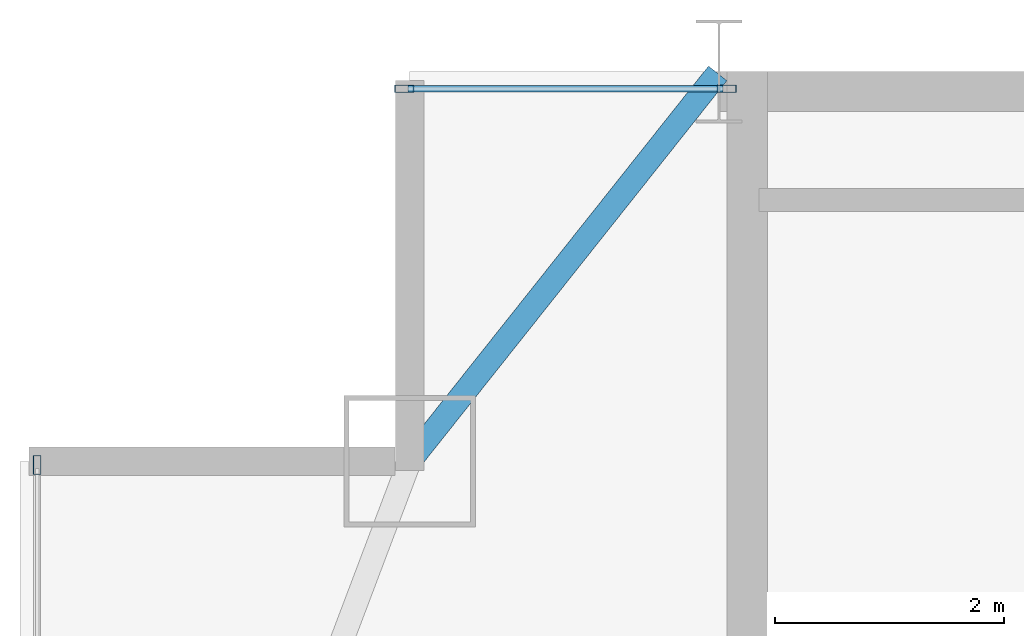
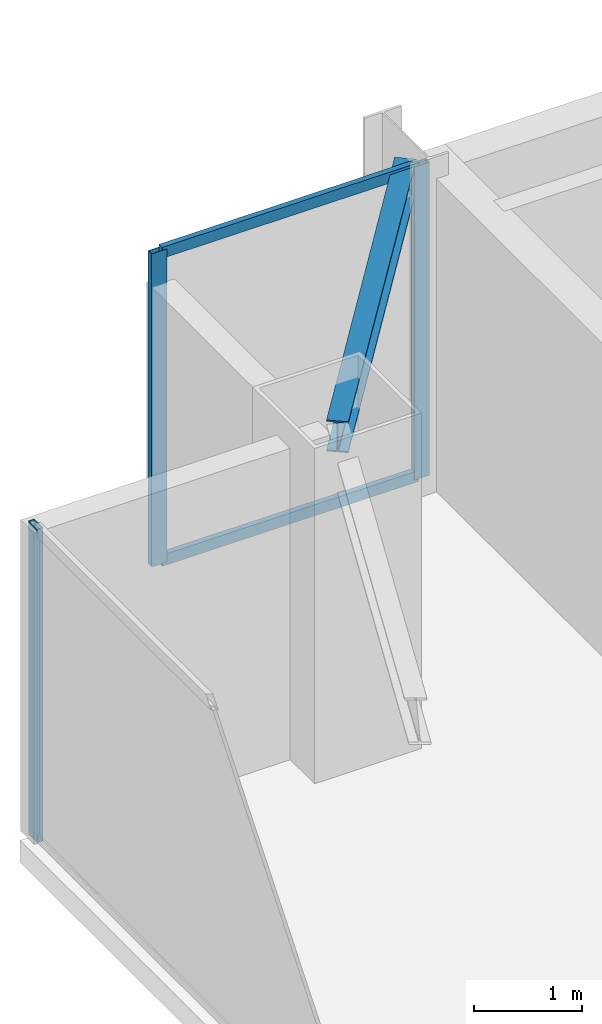
# One storey, part 21 of 30: 5 members, 1 beam, 2 elements without a shape of their own.
"""IFC4 building model written with IfcOpenShell, lengths in metres."""

from ifc_helpers import new_model, si_unit, direction, frame, origin, origin_2d, place, context, subcontext, project, spatial, hollow_rectangle, i_section, extrude, source, transform, mapped, material, layer, layer_set, material_profile, profile_set, type_object, type_shapes, element, aggregate, save


model = new_model("IFC4")

# Units and contexts
model_context = context("Model", 3, precision=1e-05, world=origin(), true_north=direction((0.0, 1.0)))
body_context = subcontext(model_context, "Body", "Model", "MODEL_VIEW")
ifc_project = project(units=[si_unit("LENGTHUNIT", "METRE"), si_unit("AREAUNIT", "SQUARE_METRE"), si_unit("VOLUMEUNIT", "CUBIC_METRE"), si_unit("PLANEANGLEUNIT", "RADIAN"), si_unit("MASSUNIT", "GRAM", prefix="KILO")], contexts=[model_context])

# Site, building, storey
site_placement = place(None, origin())
site = spatial("IfcSite", under=ifc_project, at=site_placement, CompositionType="ELEMENT")
building_placement = place(site_placement, origin())
building = spatial("IfcBuilding", under=site, at=building_placement, Name="Varnel Quay Broadcast Tower", CompositionType="ELEMENT")
storey_placement = place(building_placement, frame((0.0, 0.0, 247.0)))
storey = spatial("IfcBuildingStorey", under=building, at=storey_placement, Name="L61", CompositionType="ELEMENT", Elevation=247.0)

# Beam
ifc_material_1 = material(Name="Structural Steel CSA G40.21 350W", Category="steel")
ifc_material_profile_1 = material_profile(ifc_material_1, i_section(OverallWidth=0.205078125, OverallDepth=0.35400390625, WebThickness=0.009521484375, FlangeThickness=0.016845703125, FilletRadius=0.012939453125, at=origin_2d()), Name="W360X79")
ifc_profile_set_1 = profile_set([ifc_material_profile_1], Name="Structural Steel CSA G40.21 350W")
beam_type = type_object("IfcBeamType", Name="Beam_W360X79", PredefinedType="SPANDREL", material=ifc_profile_set_1)
shared_shape_1 = source(origin(), body_context, "Body", "SweptSolid", [
    extrude(i_section(OverallWidth=0.205078125, OverallDepth=0.35400390625, WebThickness=0.009521484375, FlangeThickness=0.016845703125, FilletRadius=0.012939453125, at=origin_2d()), origin(), (0.0, 0.0, 1.0), 4.301513671875),
])
type_shapes(beam_type, [shared_shape_1])
beam_placement = place(storey_placement, frame((12.912353515625, 43.415771484375, 3.373046875), z_axis=(0.621936399401, 0.783067758946, 0.0), x_axis=(-0.783067758946, 0.621936399401, 0.0)))
element("IfcBeam", 1, at=beam_placement, inside=storey, type_object=beam_type, Name="L61 NW Tie Spandrel", PredefinedType="SPANDREL", context=body_context, shape_type="MappedRepresentation", body=[
    mapped(shared_shape_1, transform((0.0, 0.0, 0.0), x_axis=(1.0, 0.0, 0.0), y_axis=(0.0, 1.0, 0.0), z_axis=(0.0, 0.0, 1.0), scale=1.0)),
])

# Curtain wall, member
ifc_material_2 = material(Name="Anodised Bronze Aluminium 6063-T6", Category="aluminium")
ifc_layer = layer(ifc_material_2, 0.18994140625, Name="Anodised Bronze Aluminium 6063-T6")
ifc_layer_set = layer_set([ifc_layer], Name="Anodised Bronze Aluminium 6063-T6")
curtain_wall_type = type_object("IfcCurtainWallType", Name="CW_UpperTower", PredefinedType="NOTDEFINED", material=ifc_layer_set)
curtain_wall_1_placement = place(storey_placement, origin())
curtain_wall_1 = element("IfcCurtainWall", 2, at=curtain_wall_1_placement, inside=storey, type_object=curtain_wall_type, Name="L61 West Unitised Curtain Wall", PredefinedType="NOTDEFINED")
ifc_material_profile_2 = material_profile(ifc_material_2, hollow_rectangle(XDim=0.06494140625, YDim=0.1650390625, WallThickness=0.00341796875, at=origin_2d()), Name="ALU65X165X3.5")
ifc_profile_set_2 = profile_set([ifc_material_profile_2], Name="Anodised Bronze Aluminium 6063-T6")
member_type_1 = type_object("IfcMemberType", Name="Mull_CWS-03", PredefinedType="MULLION", material=ifc_profile_set_2)
shared_shape_2 = source(origin(), body_context, "Body", "SweptSolid", [
    extrude(hollow_rectangle(XDim=0.06494140625, YDim=0.1650390625, WallThickness=0.00341796875, at=origin_2d()), origin(), (0.0, 0.0, 1.0), 3.550048828125),
])
type_shapes(member_type_1, [shared_shape_2])
member_1_placement = place(storey_placement, frame((9.64990234375, 43.367431640625, 0.0), z_axis=(0.0, 0.0, 1.0), x_axis=(-1.0, 0.0, 0.0)))
member_1 = element("IfcMember", 3, at=member_1_placement, type_object=member_type_1, Name="CWS-03 mullion 3", PredefinedType="MULLION", context=body_context, shape_type="MappedRepresentation", body=[
    mapped(shared_shape_2, transform((0.0, 0.0, 0.0), x_axis=(1.0, 0.0, 0.0), y_axis=(0.0, 1.0, 0.0), z_axis=(0.0, 0.0, 1.0), scale=1.0)),
])
aggregate(curtain_wall_1, [member_1])

# Curtain wall, members
curtain_wall_2_placement = place(storey_placement, origin())
curtain_wall_2 = element("IfcCurtainWall", 4, at=curtain_wall_2_placement, inside=storey, type_object=curtain_wall_type, Name="L61 NW Wing Curtain Wall", PredefinedType="NOTDEFINED")
member_2_placement = place(storey_placement, frame((12.8525390625, 46.64990234375, 0.0), z_axis=(0.0, 0.0, 1.0), x_axis=(0.0, 1.0, 0.0)))
member_2 = element("IfcMember", 5, at=member_2_placement, type_object=member_type_1, Name="CWS-03 mullion 1", PredefinedType="MULLION", context=body_context, shape_type="MappedRepresentation", body=[
    mapped(shared_shape_2, transform((0.0, 0.0, 0.0), x_axis=(1.0, 0.0, 0.0), y_axis=(0.0, 1.0, 0.0), z_axis=(0.0, 0.0, 1.0), scale=1.0)),
])
member_3_placement = place(storey_placement, frame((15.66748046875, 46.64990234375, 0.0), z_axis=(0.0, 0.0, 1.0), x_axis=(0.0, 1.0, 0.0)))
member_3 = element("IfcMember", 6, at=member_3_placement, type_object=member_type_1, Name="CWS-03 mullion 2", PredefinedType="MULLION", context=body_context, shape_type="MappedRepresentation", body=[
    mapped(shared_shape_2, transform((0.0, 0.0, 0.0), x_axis=(1.0, 0.0, 0.0), y_axis=(0.0, 1.0, 0.0), z_axis=(0.0, 0.0, 1.0), scale=1.0)),
])
ifc_material_profile_3 = material_profile(ifc_material_2, hollow_rectangle(XDim=0.06005859375, YDim=0.125, WallThickness=0.0029296875, at=origin_2d()), Name="ALU60X125X3")
ifc_profile_set_3 = profile_set([ifc_material_profile_3], Name="Anodised Bronze Aluminium 6063-T6")
member_type_2 = type_object("IfcMemberType", Name="Tran_CWS-03", PredefinedType="USERDEFINED", material=ifc_profile_set_3)
shared_shape_3 = source(origin(), body_context, "Body", "SweptSolid", [
    extrude(hollow_rectangle(XDim=0.06005859375, YDim=0.125, WallThickness=0.0029296875, at=origin_2d()), origin(), (0.0, 0.0, 1.0), 2.75),
])
type_shapes(member_type_2, [shared_shape_3])
member_4_placement = place(storey_placement, frame((12.885009765625, 46.64990234375, 0.030029296875), z_axis=(1.0, 0.0, 0.0), x_axis=(0.0, 1.0, 0.0)))
member_4 = element("IfcMember", 7, at=member_4_placement, type_object=member_type_2, Name="CWS-03 transom 1.1", ObjectType="TRANSOM", PredefinedType="USERDEFINED", context=body_context, shape_type="MappedRepresentation", body=[
    mapped(shared_shape_3, transform((0.0, 0.0, 0.0), x_axis=(1.0, 0.0, 0.0), y_axis=(0.0, 1.0, 0.0), z_axis=(0.0, 0.0, 1.0), scale=1.0)),
])
member_5_placement = place(storey_placement, frame((12.885009765625, 46.64990234375, 3.52001953125), z_axis=(1.0, 0.0, 0.0), x_axis=(0.0, 1.0, 0.0)))
member_5 = element("IfcMember", 8, at=member_5_placement, type_object=member_type_2, Name="CWS-03 transom 1.2", ObjectType="TRANSOM", PredefinedType="USERDEFINED", context=body_context, shape_type="MappedRepresentation", body=[
    mapped(shared_shape_3, transform((0.0, 0.0, 0.0), x_axis=(1.0, 0.0, 0.0), y_axis=(0.0, 1.0, 0.0), z_axis=(0.0, 0.0, 1.0), scale=1.0)),
])
aggregate(curtain_wall_2, [member_2, member_3, member_4, member_5])

save(model, "model.ifc")
